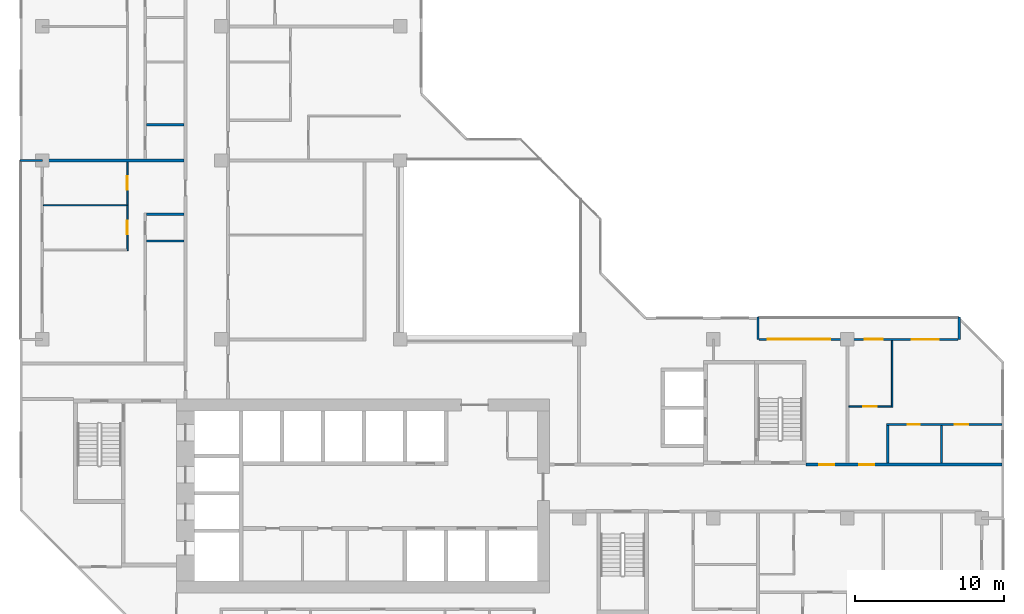
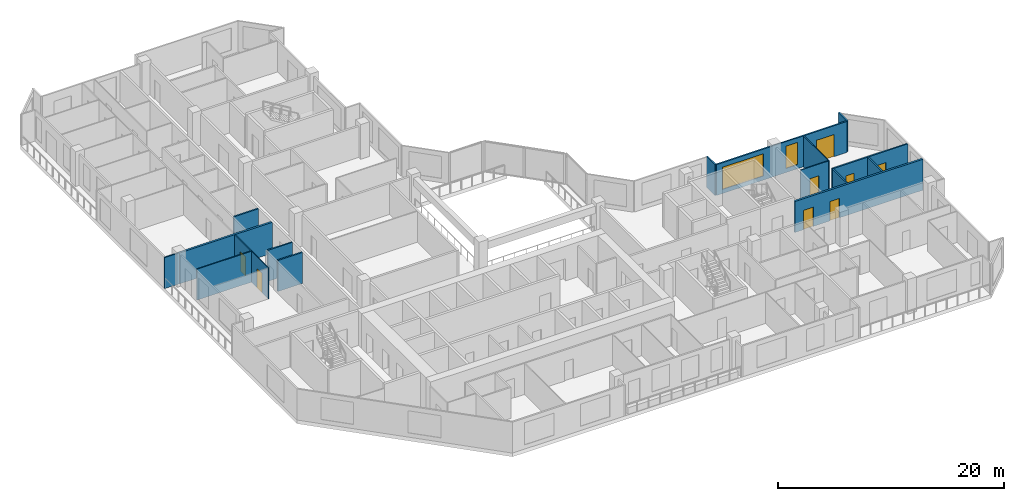
# One storey, part 8 of 15: 16 walls, 8 doors, 2 windows, 10 openings.
"""IFC4 building model written with IfcOpenShell, lengths in metres."""

from ifc_helpers import new_model, si_unit, direction, frame, frame_2d, origin, place, context, subcontext, project, spatial, rectangle, extrude, material, layer, layer_set, type_object, element, fill, save


model = new_model("IFC4")

# Units and contexts
model_context = context("Model", 3, precision=1e-05, world=origin(), true_north=direction((0.0, 1.0)))
body_context = subcontext(model_context, "Body", "Model", "MODEL_VIEW")
ifc_project = project(units=[si_unit("LENGTHUNIT", "METRE"), si_unit("AREAUNIT", "SQUARE_METRE"), si_unit("VOLUMEUNIT", "CUBIC_METRE"), si_unit("PLANEANGLEUNIT", "RADIAN"), si_unit("MASSUNIT", "GRAM", prefix="KILO")], contexts=[model_context])

# Site, building, storey
site_placement = place(None, origin())
site = spatial("IfcSite", under=ifc_project, at=site_placement, CompositionType="ELEMENT")
building_placement = place(site_placement, origin())
building = spatial("IfcBuilding", under=site, at=building_placement, Name="Chenar Terraces", CompositionType="ELEMENT")
storey_placement = place(building_placement, frame((0.0, 0.0, 191.14990234375)))
storey = spatial("IfcBuildingStorey", under=building, at=storey_placement, Name="L44", CompositionType="ELEMENT", Elevation=191.14990234375)

# Wall, openings, doors
ifc_material_1 = material(Name="Gypsum board on steel studs with fire boards", Category="steel")
ifc_layer_1 = layer(ifc_material_1, 0.199951171875)
ifc_layer_set_1 = layer_set([ifc_layer_1], Name="Gypsum board on steel studs with fire boards")
wall_type_1 = type_object("IfcWallType", Name="Corridor wall 200", PredefinedType="PARTITIONING", material=ifc_layer_set_1)
wall_1_placement = place(storey_placement, frame((51.22509765625, 15.60009765625, 0.0), z_axis=(0.0, 0.0, 1.0), x_axis=(1.0, 0.0, 0.0)))
wall_1 = element("IfcWall", 1, at=wall_1_placement, inside=storey, type_object=wall_type_1, Name="Partition L44-075", PredefinedType="PARTITIONING", context=body_context, shape_type="SweptSolid", body=[
    extrude(rectangle(XDim=13.125, YDim=0.199951171875, at=frame_2d((6.5625, 0.0))), origin(), (0.0, 0.0, 1.0), 3.35009765625),
])
opening_1_placement = place(wall_1_placement, frame((3.574951171875, 0.0, 0.0)))
opening_1 = element("IfcOpeningElement", 2, at=opening_1_placement, cuts=wall_1, Name="Opening DL44-7", PredefinedType="OPENING", context=body_context, shape_type="SweptSolid", body=[
    extrude(rectangle(XDim=1.0, YDim=2.10009765625, at=frame_2d((0.5, 1.050048828125))), frame((0.0, 0.10986328125, 0.0), z_axis=(0.0, -1.0, 0.0), x_axis=(1.0, 0.0, 0.0)), (0.0, 0.0, 1.0), 0.219970703125),
])
opening_2_placement = place(wall_1_placement, frame((0.875, 0.0, 0.0)))
opening_2 = element("IfcOpeningElement", 3, at=opening_2_placement, cuts=wall_1, Name="Opening DL44-42", PredefinedType="OPENING", context=body_context, shape_type="SweptSolid", body=[
    extrude(rectangle(XDim=1.0, YDim=2.10009765625, at=frame_2d((0.5, 1.050048828125))), frame((0.0, 0.10986328125, 0.0), z_axis=(0.0, -1.0, 0.0), x_axis=(1.0, 0.0, 0.0)), (0.0, 0.0, 1.0), 0.219970703125),
])
ifc_material_2 = material(Name="Steel-framed fire-resisting door leaf", Category="steel")
door_type_1 = type_object("IfcDoorType", Name="Fire door FD30S 1000 x 2100", OperationType="SINGLE_SWING_LEFT", PredefinedType="DOOR", material=ifc_material_2)
door_1_placement = place(opening_1_placement, origin())
door_1 = element("IfcDoor", 4, at=door_1_placement, inside=storey, type_object=door_type_1, Name="Door DL44-7", OperationType="SINGLE_SWING_LEFT", OverallHeight=2.10009765625, OverallWidth=1.0, PredefinedType="DOOR", context=body_context, shape_type="SweptSolid", body=[
    extrude(rectangle(XDim=1.0, YDim=2.10009765625, at=frame_2d((0.5, 1.050048828125))), frame((0.0, 0.02490234375, 0.0), z_axis=(0.0, -1.0, 0.0), x_axis=(1.0, 0.0, 0.0)), (0.0, 0.0, 1.0), 0.050048828125),
])
fill(opening_1, door_1)
door_2_placement = place(opening_2_placement, origin())
door_2 = element("IfcDoor", 5, at=door_2_placement, inside=storey, type_object=door_type_1, Name="Door DL44-42", OperationType="SINGLE_SWING_RIGHT", OverallHeight=2.10009765625, OverallWidth=1.0, PredefinedType="DOOR", context=body_context, shape_type="SweptSolid", body=[
    extrude(rectangle(XDim=1.0, YDim=2.10009765625, at=frame_2d((0.5, 1.050048828125))), frame((0.0, 0.02490234375, 0.0), z_axis=(0.0, -1.0, 0.0), x_axis=(1.0, 0.0, 0.0)), (0.0, 0.0, 1.0), 0.050048828125),
])
fill(opening_2, door_2)

# Wall, openings, windows, door
ifc_material_3 = material(Name="Aluminium framed glazing", Category="aluminium")
ifc_layer_2 = layer(ifc_material_3, 0.14990234375)
ifc_layer_set_2 = layer_set([ifc_layer_2], Name="Aluminium framed glazing")
wall_type_2 = type_object("IfcWallType", Name="Glazed loggia back wall 150", PredefinedType="SOLIDWALL", material=ifc_layer_set_2)
wall_2_placement = place(storey_placement, frame((61.425048828125, 24.0, 0.0), z_axis=(0.0, 0.0, 1.0), x_axis=(-1.0, 0.0, 0.0)))
wall_2 = element("IfcWall", 6, at=wall_2_placement, inside=storey, type_object=wall_type_2, Name="Glazed loggia back wall", PredefinedType="SOLIDWALL", context=body_context, shape_type="SweptSolid", body=[
    extrude(rectangle(XDim=13.35009765625, YDim=0.14990234375, at=frame_2d((6.675048828125, 0.0))), origin(), (0.0, 0.0, 1.0), 3.35009765625),
])
opening_3_placement = place(wall_2_placement, frame((1.3125, 0.0, 0.0)))
opening_3 = element("IfcOpeningElement", 7, at=opening_3_placement, cuts=wall_2, Name="Opening DL44-G1", PredefinedType="OPENING", context=body_context, shape_type="SweptSolid", body=[
    extrude(rectangle(XDim=1.800048828125, YDim=2.39990234375, at=frame_2d((0.89990234375, 1.199951171875))), frame((0.0, 0.0849609375, 0.0), z_axis=(0.0, -1.0, 0.0), x_axis=(1.0, 0.0, 0.0)), (0.0, 0.0, 1.0), 0.169921875),
])
opening_4_placement = place(wall_2_placement, frame((5.050048828125, 0.0, 0.449951171875)))
opening_4 = element("IfcOpeningElement", 8, at=opening_4_placement, cuts=wall_2, Name="Opening W120x240", PredefinedType="OPENING", context=body_context, shape_type="SweptSolid", body=[
    extrude(rectangle(XDim=1.199951171875, YDim=2.39990234375, at=frame_2d((0.60009765625, 1.199951171875))), frame((0.0, 0.0849609375, 0.0), z_axis=(0.0, -1.0, 0.0), x_axis=(1.0, 0.0, 0.0)), (0.0, 0.0, 1.0), 0.169921875),
])
opening_5_placement = place(wall_2_placement, frame((8.5625, 0.0, 0.449951171875)))
opening_5 = element("IfcOpeningElement", 9, at=opening_5_placement, cuts=wall_2, Name="Opening W420x240", PredefinedType="OPENING", context=body_context, shape_type="SweptSolid", body=[
    extrude(rectangle(XDim=4.199951171875, YDim=2.39990234375, at=frame_2d((2.10009765625, 1.199951171875))), frame((0.0, 0.0849609375, 0.0), z_axis=(0.0, -1.0, 0.0), x_axis=(1.0, 0.0, 0.0)), (0.0, 0.0, 1.0), 0.169921875),
])
ifc_material_4 = material(Name="Low emissivity double glazing, aluminium frame", Category="aluminium")
window_type_1 = type_object("IfcWindowType", Name="Fixed light 1200 x 2400", PartitioningType="SINGLE_PANEL", PredefinedType="WINDOW", material=ifc_material_4)
window_1_placement = place(opening_4_placement, origin())
window_1 = element("IfcWindow", 10, at=window_1_placement, inside=storey, type_object=window_type_1, Name="Window", OverallHeight=2.39990234375, OverallWidth=1.199951171875, PartitioningType="SINGLE_PANEL", PredefinedType="WINDOW", context=body_context, shape_type="SweptSolid", body=[
    extrude(rectangle(XDim=1.199951171875, YDim=2.39990234375, at=frame_2d((0.60009765625, 1.199951171875))), frame((0.0, 0.030029296875, 0.0), z_axis=(0.0, -1.0, 0.0), x_axis=(1.0, 0.0, 0.0)), (0.0, 0.0, 1.0), 0.06005859375),
])
fill(opening_4, window_1)
ifc_material_5 = material(Name="Low emissivity double glazing, aluminium frame", Category="aluminium")
window_type_2 = type_object("IfcWindowType", Name="Fixed light 4200 x 2400", PartitioningType="SINGLE_PANEL", PredefinedType="WINDOW", material=ifc_material_5)
window_2_placement = place(opening_5_placement, origin())
window_2 = element("IfcWindow", 11, at=window_2_placement, inside=storey, type_object=window_type_2, Name="Window", OverallHeight=2.39990234375, OverallWidth=4.199951171875, PartitioningType="SINGLE_PANEL", PredefinedType="WINDOW", context=body_context, shape_type="SweptSolid", body=[
    extrude(rectangle(XDim=4.199951171875, YDim=2.39990234375, at=frame_2d((2.10009765625, 1.199951171875))), frame((0.0, 0.030029296875, 0.0), z_axis=(0.0, -1.0, 0.0), x_axis=(1.0, 0.0, 0.0)), (0.0, 0.0, 1.0), 0.06005859375),
])
fill(opening_5, window_2)
ifc_material_6 = material(Name="Low emissivity double glazing, aluminium frame", Category="aluminium")
door_type_2 = type_object("IfcDoorType", Name="Loggia glazed double door 1800 x 2400", OperationType="DOUBLE_DOOR_SINGLE_SWING", PredefinedType="DOOR", material=ifc_material_6)
door_3_placement = place(opening_3_placement, frame((1.800048828125, 0.0, 0.0), z_axis=(0.0, 0.0, 1.0), x_axis=(-1.0, 0.0, 0.0)))
door_3 = element("IfcDoor", 12, at=door_3_placement, inside=storey, type_object=door_type_2, Name="Loggia glazed door", OperationType="DOUBLE_DOOR_SINGLE_SWING", OverallHeight=2.39990234375, OverallWidth=1.800048828125, PredefinedType="DOOR", context=body_context, shape_type="SweptSolid", body=[
    extrude(rectangle(XDim=1.800048828125, YDim=2.39990234375, at=frame_2d((0.89990234375, 1.199951171875))), frame((0.0, 0.02490234375, 0.0), z_axis=(0.0, -1.0, 0.0), x_axis=(1.0, 0.0, 0.0)), (0.0, 0.0, 1.0), 0.050048828125),
])
fill(opening_3, door_3)

# Wall
ifc_material_7 = material(Name="Gypsum board on steel studs", Category="steel")
ifc_layer_3 = layer(ifc_material_7, 0.10009765625)
ifc_layer_set_3 = layer_set([ifc_layer_3], Name="Gypsum board on steel studs")
wall_type_3 = type_object("IfcWallType", Name="Gypsum partition 100", PredefinedType="PARTITIONING", material=ifc_layer_set_3)
wall_3_placement = place(storey_placement, frame((0.073974609375, 33.0, 0.0), z_axis=(0.0, 0.0, 1.0), x_axis=(1.0, 0.0, 0.0)))
element("IfcWall", 13, at=wall_3_placement, inside=storey, type_object=wall_type_3, Name="Partition L44-007", PredefinedType="PARTITIONING", context=body_context, shape_type="SweptSolid", body=[
    extrude(rectangle(XDim=5.575927734375, YDim=0.10009765625, at=frame_2d((2.7880859375, 0.0))), origin(), (0.0, 0.0, 1.0), 3.35009765625),
])

# Wall, openings, doors
wall_4_placement = place(storey_placement, frame((5.699951171875, 29.949951171875, 0.0), z_axis=(0.0, 0.0, 1.0), x_axis=(0.0, 1.0, 0.0)))
wall_4 = element("IfcWall", 14, at=wall_4_placement, inside=storey, type_object=wall_type_3, Name="Partition L44-013", PredefinedType="PARTITIONING", context=body_context, shape_type="SweptSolid", body=[
    extrude(rectangle(XDim=5.949951171875, YDim=0.10009765625, at=frame_2d((2.97509765625, 0.0))), origin(), (0.0, 0.0, 1.0), 3.35009765625),
])
opening_6_placement = place(wall_4_placement, frame((1.10009765625, 0.0, 0.0)))
opening_6 = element("IfcOpeningElement", 15, at=opening_6_placement, cuts=wall_4, Name="Opening DL44-58", PredefinedType="OPENING", context=body_context, shape_type="SweptSolid", body=[
    extrude(rectangle(XDim=0.89990234375, YDim=2.10009765625, at=frame_2d((0.449951171875, 1.050048828125))), frame((0.0, 0.06005859375, 0.0), z_axis=(0.0, -1.0, 0.0), x_axis=(1.0, 0.0, 0.0)), (0.0, 0.0, 1.0), 0.1201171875),
])
opening_7_placement = place(wall_4_placement, frame((4.10009765625, 0.0, 0.0)))
opening_7 = element("IfcOpeningElement", 16, at=opening_7_placement, cuts=wall_4, Name="Opening DL44-59", PredefinedType="OPENING", context=body_context, shape_type="SweptSolid", body=[
    extrude(rectangle(XDim=0.89990234375, YDim=2.10009765625, at=frame_2d((0.449951171875, 1.050048828125))), frame((0.0, 0.06005859375, 0.0), z_axis=(0.0, -1.0, 0.0), x_axis=(1.0, 0.0, 0.0)), (0.0, 0.0, 1.0), 0.1201171875),
])
ifc_material_8 = material(Name="Veneered timber door leaf", Category="wood")
door_type_3 = type_object("IfcDoorType", Name="Door 900 x 2100", OperationType="SINGLE_SWING_LEFT", PredefinedType="DOOR", material=ifc_material_8)
door_4_placement = place(opening_6_placement, origin())
door_4 = element("IfcDoor", 17, at=door_4_placement, inside=storey, type_object=door_type_3, Name="Door DL44-58", OperationType="SINGLE_SWING_LEFT", OverallHeight=2.10009765625, OverallWidth=0.89990234375, PredefinedType="DOOR", context=body_context, shape_type="SweptSolid", body=[
    extrude(rectangle(XDim=0.89990234375, YDim=2.10009765625, at=frame_2d((0.449951171875, 1.050048828125))), frame((0.0, 0.02490234375, 0.0), z_axis=(0.0, -1.0, 0.0), x_axis=(1.0, 0.0, 0.0)), (0.0, 0.0, 1.0), 0.050048828125),
])
fill(opening_6, door_4)
door_5_placement = place(opening_7_placement, origin())
door_5 = element("IfcDoor", 18, at=door_5_placement, inside=storey, type_object=door_type_3, Name="Door DL44-59", OperationType="SINGLE_SWING_RIGHT", OverallHeight=2.10009765625, OverallWidth=0.89990234375, PredefinedType="DOOR", context=body_context, shape_type="SweptSolid", body=[
    extrude(rectangle(XDim=0.89990234375, YDim=2.10009765625, at=frame_2d((0.449951171875, 1.050048828125))), frame((0.0, 0.02490234375, 0.0), z_axis=(0.0, -1.0, 0.0), x_axis=(1.0, 0.0, 0.0)), (0.0, 0.0, 1.0), 0.050048828125),
])
fill(opening_7, door_5)

# Wall, opening, door
wall_5_placement = place(storey_placement, frame((54.10009765625, 19.5, 0.0), z_axis=(0.0, 0.0, 1.0), x_axis=(1.0, 0.0, 0.0)))
wall_5 = element("IfcWall", 19, at=wall_5_placement, inside=storey, type_object=wall_type_3, Name="Partition L44-078", PredefinedType="PARTITIONING", context=body_context, shape_type="SweptSolid", body=[
    extrude(rectangle(XDim=2.849853515625, YDim=0.10009765625, at=frame_2d((1.4248046875, 0.0))), origin(), (0.0, 0.0, 1.0), 3.35009765625),
])
opening_8_placement = place(wall_5_placement, frame((0.949951171875, 0.0, 0.0)))
opening_8 = element("IfcOpeningElement", 20, at=opening_8_placement, cuts=wall_5, Name="Opening DL44-5", PredefinedType="OPENING", context=body_context, shape_type="SweptSolid", body=[
    extrude(rectangle(XDim=0.89990234375, YDim=2.10009765625, at=frame_2d((0.449951171875, 1.050048828125))), frame((0.0, 0.06005859375, 0.0), z_axis=(0.0, -1.0, 0.0), x_axis=(1.0, 0.0, 0.0)), (0.0, 0.0, 1.0), 0.1201171875),
])
door_6_placement = place(opening_8_placement, origin())
door_6 = element("IfcDoor", 21, at=door_6_placement, inside=storey, type_object=door_type_3, Name="Door DL44-5", OperationType="SINGLE_SWING_RIGHT", OverallHeight=2.10009765625, OverallWidth=0.89990234375, PredefinedType="DOOR", context=body_context, shape_type="SweptSolid", body=[
    extrude(rectangle(XDim=0.89990234375, YDim=2.10009765625, at=frame_2d((0.449951171875, 1.050048828125))), frame((0.0, 0.02490234375, 0.0), z_axis=(0.0, -1.0, 0.0), x_axis=(1.0, 0.0, 0.0)), (0.0, 0.0, 1.0), 0.050048828125),
])
fill(opening_8, door_6)

# Walls
wall_6_placement = place(storey_placement, frame((57.0, 19.449951171875, 0.0), z_axis=(0.0, 0.0, 1.0), x_axis=(0.0, 1.0, 0.0)))
element("IfcWall", 22, at=wall_6_placement, inside=storey, type_object=wall_type_3, Name="Partition L44-083", PredefinedType="PARTITIONING", context=body_context, shape_type="SweptSolid", body=[
    extrude(rectangle(XDim=4.47607421875, YDim=0.10009765625, at=frame_2d((2.238037109375, 0.0))), origin(), (0.0, 0.0, 1.0), 3.35009765625),
])
ifc_material_9 = material(Name="Terracotta cladding on insulated backing", Category="masonry")
ifc_layer_4 = layer(ifc_material_9, 0.14990234375)
ifc_layer_set_4 = layer_set([ifc_layer_4], Name="Terracotta cladding on insulated backing")
wall_type_4 = type_object("IfcWallType", Name="Loggia return wall 150", PredefinedType="SOLIDWALL", material=ifc_layer_set_4)
for number, where, z_axis, x_axis, name in (
    (23, (61.5, 25.5, 0.0), (0.0, 0.0, 1.0), (0.0, -1.0, 0.0), "Loggia return wall"),
    (24, (48.0, 25.5, 0.0), (0.0, 0.0, 1.0), (0.0, -1.0, 0.0), "Loggia return wall"),
    (25, (-1.5, 36.0, 0.0), (0.0, 0.0, 1.0), (1.0, 0.0, 0.0), "Loggia return wall"),
):
    element("IfcWall", number, at=place(storey_placement, frame(where, z_axis=z_axis, x_axis=x_axis)), inside=storey, type_object=wall_type_4, Name=name, PredefinedType="SOLIDWALL", context=body_context, shape_type="SweptSolid", body=[
        extrude(rectangle(XDim=1.5, YDim=0.14990234375, at=frame_2d((0.75, 0.0))), origin(), (0.0, 0.0, 1.0), 3.35009765625),
    ])
ifc_material_10 = material(Name="Twin gypsum board on steel studs with mineral wool", Category="steel")
ifc_layer_5 = layer(ifc_material_10, 0.199951171875)
ifc_layer_set_5 = layer_set([ifc_layer_5], Name="Twin gypsum board on steel studs with mineral wool")
wall_type_5 = type_object("IfcWallType", Name="Unit demising wall 200", PredefinedType="PARTITIONING", material=ifc_layer_set_5)
wall_7_placement = place(storey_placement, frame((0.0, 36.0, 0.0), z_axis=(0.0, 0.0, 1.0), x_axis=(1.0, 0.0, 0.0)))
element("IfcWall", 26, at=wall_7_placement, inside=storey, type_object=wall_type_5, Name="Partition L44-003", PredefinedType="PARTITIONING", context=body_context, shape_type="SweptSolid", body=[
    extrude(rectangle(XDim=9.5, YDim=0.199951171875, at=frame_2d((4.75, 0.0))), origin(), (0.0, 0.0, 1.0), 3.35009765625),
])
ifc_material_11 = material(Name="Moisture-resistant gypsum board on steel studs", Category="steel")
ifc_layer_6 = layer(ifc_material_11, 0.14990234375)
ifc_layer_set_6 = layer_set([ifc_layer_6], Name="Moisture-resistant gypsum board on steel studs")
wall_type_6 = type_object("IfcWallType", Name="Wet-room partition 150", PredefinedType="PARTITIONING", material=ifc_layer_set_6)
for number, where, z_axis, x_axis, name in (
    (27, (6.97509765625, 30.60009765625, 0.0), (0.0, 0.0, 1.0), (1.0, 0.0, 0.0), "Partition L44-020"),
    (28, (6.97509765625, 32.39990234375, 0.0), (0.0, 0.0, 1.0), (1.0, 0.0, 0.0), "Partition L44-021"),
    (29, (6.97509765625, 38.39990234375, 0.0), (0.0, 0.0, 1.0), (1.0, 0.0, 0.0), "Partition L44-022"),
):
    element("IfcWall", number, at=place(storey_placement, frame(where, z_axis=z_axis, x_axis=x_axis)), inside=storey, type_object=wall_type_6, Name=name, PredefinedType="PARTITIONING", context=body_context, shape_type="SweptSolid", body=[
        extrude(rectangle(XDim=2.52490234375, YDim=0.14990234375, at=frame_2d((1.262451171875, 0.0))), origin(), (0.0, 0.0, 1.0), 3.35009765625),
    ])

# Wall, openings, doors
wall_8_placement = place(storey_placement, frame((56.625, 18.300048828125, 0.0), z_axis=(0.0, 0.0, 1.0), x_axis=(1.0, 0.0, 0.0)))
wall_8 = element("IfcWall", 30, at=wall_8_placement, inside=storey, type_object=wall_type_6, Name="Partition L44-081", PredefinedType="PARTITIONING", context=body_context, shape_type="SweptSolid", body=[
    extrude(rectangle(XDim=7.72509765625, YDim=0.14990234375, at=frame_2d((3.862548828125, 0.0))), origin(), (0.0, 0.0, 1.0), 3.35009765625),
])
opening_9_placement = place(wall_8_placement, frame((1.425048828125, 0.0, 0.0)))
opening_9 = element("IfcOpeningElement", 31, at=opening_9_placement, cuts=wall_8, Name="Opening DL44-4", PredefinedType="OPENING", context=body_context, shape_type="SweptSolid", body=[
    extrude(rectangle(XDim=0.800048828125, YDim=2.10009765625, at=frame_2d((0.39990234375, 1.050048828125))), frame((0.0, 0.0849609375, 0.0), z_axis=(0.0, -1.0, 0.0), x_axis=(1.0, 0.0, 0.0)), (0.0, 0.0, 1.0), 0.169921875),
])
opening_10_placement = place(wall_8_placement, frame((4.574951171875, 0.0, 0.0)))
opening_10 = element("IfcOpeningElement", 32, at=opening_10_placement, cuts=wall_8, Name="Opening DL44-6", PredefinedType="OPENING", context=body_context, shape_type="SweptSolid", body=[
    extrude(rectangle(XDim=0.89990234375, YDim=2.10009765625, at=frame_2d((0.449951171875, 1.050048828125))), frame((0.0, 0.0849609375, 0.0), z_axis=(0.0, -1.0, 0.0), x_axis=(1.0, 0.0, 0.0)), (0.0, 0.0, 1.0), 0.169921875),
])
ifc_material_12 = material(Name="Veneered timber door leaf", Category="wood")
door_type_4 = type_object("IfcDoorType", Name="Door 800 x 2100", OperationType="SINGLE_SWING_LEFT", PredefinedType="DOOR", material=ifc_material_12)
door_7_placement = place(opening_9_placement, frame((0.800048828125, 0.0, 0.0), z_axis=(0.0, 0.0, 1.0), x_axis=(-1.0, 0.0, 0.0)))
door_7 = element("IfcDoor", 33, at=door_7_placement, inside=storey, type_object=door_type_4, Name="Door DL44-4", OperationType="SINGLE_SWING_RIGHT", OverallHeight=2.10009765625, OverallWidth=0.800048828125, PredefinedType="DOOR", context=body_context, shape_type="SweptSolid", body=[
    extrude(rectangle(XDim=0.800048828125, YDim=2.10009765625, at=frame_2d((0.39990234375, 1.050048828125))), frame((0.0, 0.02490234375, 0.0), z_axis=(0.0, -1.0, 0.0), x_axis=(1.0, 0.0, 0.0)), (0.0, 0.0, 1.0), 0.050048828125),
])
fill(opening_9, door_7)
door_8_placement = place(opening_10_placement, frame((0.89990234375, 0.0, 0.0), z_axis=(0.0, 0.0, 1.0), x_axis=(-1.0, 0.0, 0.0)))
door_8 = element("IfcDoor", 34, at=door_8_placement, inside=storey, type_object=door_type_3, Name="Door DL44-6", OperationType="SINGLE_SWING_RIGHT", OverallHeight=2.10009765625, OverallWidth=0.89990234375, PredefinedType="DOOR", context=body_context, shape_type="SweptSolid", body=[
    extrude(rectangle(XDim=0.89990234375, YDim=2.10009765625, at=frame_2d((0.449951171875, 1.050048828125))), frame((0.0, 0.02490234375, 0.0), z_axis=(0.0, -1.0, 0.0), x_axis=(1.0, 0.0, 0.0)), (0.0, 0.0, 1.0), 0.050048828125),
])
fill(opening_10, door_8)

# Walls
for number, where, z_axis, x_axis, name in (
    (35, (56.699951171875, 15.699951171875, 0.0), (0.0, 0.0, 1.0), (0.0, 1.0, 0.0), "Partition L44-082"),
    (36, (60.300048828125, 15.699951171875, 0.0), (0.0, 0.0, 1.0), (0.0, 1.0, 0.0), "Partition L44-087"),
):
    element("IfcWall", number, at=place(storey_placement, frame(where, z_axis=z_axis, x_axis=x_axis)), inside=storey, type_object=wall_type_6, Name=name, PredefinedType="PARTITIONING", context=body_context, shape_type="SweptSolid", body=[
        extrude(rectangle(XDim=2.525146484375, YDim=0.14990234375, at=frame_2d((1.2626953125, 0.0))), origin(), (0.0, 0.0, 1.0), 3.35009765625),
    ])

save(model, "model.ifc")
